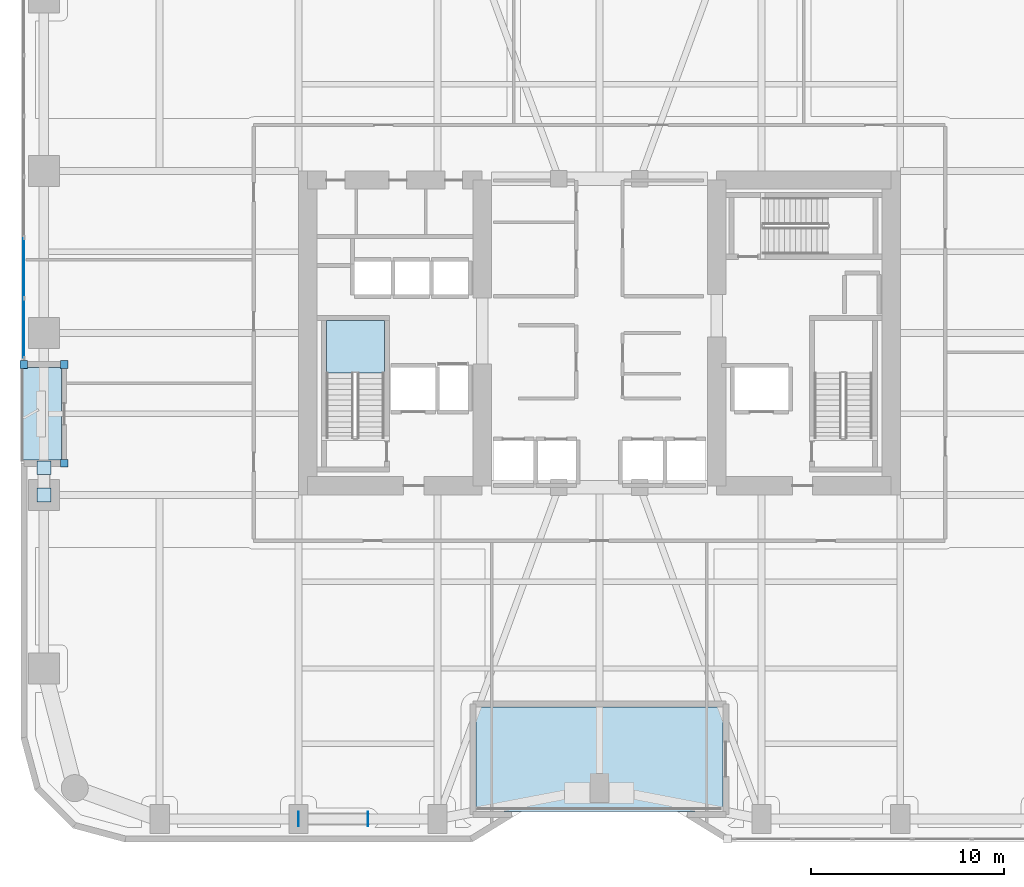
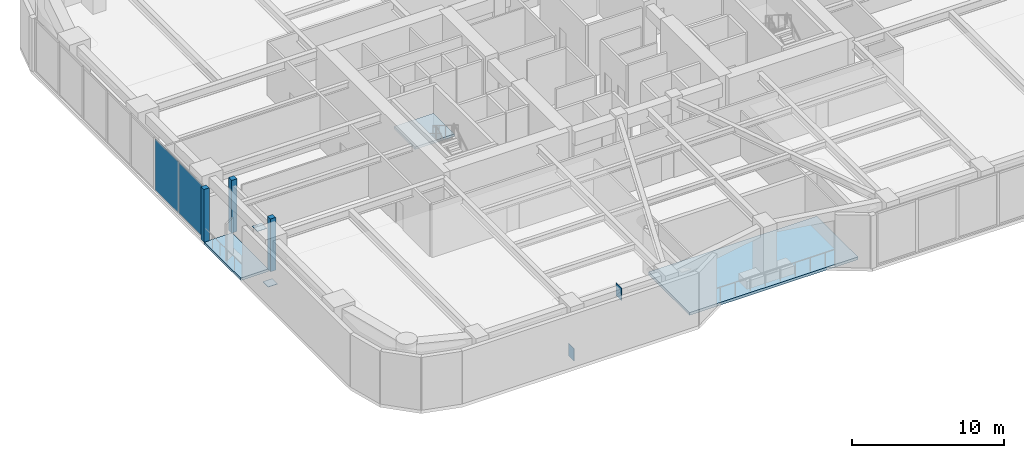
# One storey, part 14 of 25: 9 plates, 3 slabs, 2 elements without a shape of their own.
"""IFC4 building model written with IfcOpenShell, lengths in metres."""

from ifc_helpers import new_model, si_unit, direction, frame, origin, origin_2d, place, context, subcontext, project, spatial, polyline, rectangle, outline, extrude, material, layer, layer_set, type_object, element, aggregate, save


model = new_model("IFC4")

# Units and contexts
model_context = context("Model", 3, precision=1e-05, world=origin(), true_north=direction((0.0, 1.0)))
body_context = subcontext(model_context, "Body", "Model", "MODEL_VIEW")
ifc_project = project(units=[si_unit("LENGTHUNIT", "METRE"), si_unit("AREAUNIT", "SQUARE_METRE"), si_unit("VOLUMEUNIT", "CUBIC_METRE"), si_unit("PLANEANGLEUNIT", "RADIAN"), si_unit("MASSUNIT", "GRAM", prefix="KILO")], contexts=[model_context])

# Site, building, storey
site_placement = place(None, origin())
site = spatial("IfcSite", under=ifc_project, at=site_placement, CompositionType="ELEMENT")
building_placement = place(site_placement, origin())
building = spatial("IfcBuilding", under=site, at=building_placement, Name="Kiyonajd Concourse Tower", CompositionType="ELEMENT")
storey_placement = place(building_placement, frame((0.0, 0.0, 68.39990234375)))
storey = spatial("IfcBuildingStorey", under=building, at=storey_placement, Name="L18", CompositionType="ELEMENT", Elevation=68.39990234375)

# Plates
ifc_material_1 = material(Name="Steel ASTM A572 Grade 50", Category="steel")
ifc_layer_1 = layer(ifc_material_1, 0.028076171875)
ifc_layer_set_1 = layer_set([ifc_layer_1], Name="Steel ASTM A572 Grade 50")
plate_type_1 = type_object("IfcPlateType", Name="PL-CAP-450", PredefinedType="USERDEFINED", material=ifc_layer_set_1)
for number, where, z_axis, x_axis, name in (
    (1, (32.39208984375, 10.800048828125, -0.208251953125), (0.0, 0.0, 1.0), (-1.0, 0.0, 0.0), "L18 Hollow Brace End Cap Plate PBS"),
    (2, (36.0078125, 10.800048828125, 3.3974609375), (0.0, 0.0, 1.0), (1.0, 0.0, 0.0), "L18 Hollow Brace Top Cap Plate PBS"),
):
    element("IfcPlate", number, at=place(storey_placement, frame(where, z_axis=z_axis, x_axis=x_axis)), inside=storey, type_object=plate_type_1, Name=name, ObjectType="CAP PLATE", PredefinedType="USERDEFINED", context=body_context, shape_type="SweptSolid", body=[
        extrude(rectangle(XDim=0.035888671875, YDim=0.72998046875, at=origin_2d()), origin(), (0.0, 0.0, 1.0), 1.0009765625),
    ])
for number, where, z_axis, x_axis, name in (
    (3, (19.199951171875, 27.595947265625, 0.27587890625), (0.0, 0.0, 1.0), (1.0, 0.0, 0.0), "L18 Hollow Brace End Cap Plate PBW"),
    (4, (19.199951171875, 29.00390625, 3.88623046875), (0.0, 0.0, 1.0), (1.0, 0.0, 0.0), "L18 Hollow Brace Top Cap Plate PBW"),
):
    element("IfcPlate", number, at=place(storey_placement, frame(where, z_axis=z_axis, x_axis=x_axis)), inside=storey, type_object=plate_type_1, Name=name, ObjectType="CAP PLATE", PredefinedType="USERDEFINED", context=body_context, shape_type="SweptSolid", body=[
        extrude(rectangle(XDim=0.7099609375, YDim=0.7099609375, at=origin_2d()), origin(), (0.0, 0.0, 1.0), 0.028076171875),
    ])

# Curtain wall, plates
ifc_material_2 = material(Name="Thermally Broken Anodised Aluminium", Category="aluminium")
ifc_layer_2 = layer(ifc_material_2, 0.179931640625)
ifc_layer_set_2 = layer_set([ifc_layer_2], Name="Thermally Broken Anodised Aluminium")
curtain_wall_type = type_object("IfcCurtainWallType", Name="CW-SYS-05", PredefinedType="NOTDEFINED", material=ifc_layer_set_2)
curtain_wall_placement = place(storey_placement, origin())
curtain_wall = element("IfcCurtainWall", 5, at=curtain_wall_placement, inside=storey, type_object=curtain_wall_type, Name="L18 Unitised Curtain Wall CW5", PredefinedType="NOTDEFINED")
ifc_material_3 = material(Name="Double Low-E Insulated Glass", Category="glass")
ifc_layer_3 = layer(ifc_material_3, 0.0400390625)
ifc_layer_set_3 = layer_set([ifc_layer_3], Name="Double Low-E Insulated Glass")
plate_type_2 = type_object("IfcPlateType", Name="PL-CW-VIS40", PredefinedType="CURTAIN_PANEL", material=ifc_layer_set_3)
plate_1_placement = place(storey_placement, frame((18.159912109375, 36.242919921875, 0.0751953125), z_axis=(0.0, 0.0, 1.0), x_axis=(0.0, 1.0, 0.0)))
plate_1 = element("IfcPlate", 6, at=plate_1_placement, type_object=plate_type_2, Name="CW5 panel 1.1", PredefinedType="CURTAIN_PANEL", context=body_context, shape_type="SweptSolid", body=[
    extrude(rectangle(XDim=3.035888671875, YDim=0.0400390625, at=origin_2d()), origin(), (0.0, 0.0, 1.0), 4.090087890625),
])
plate_2_placement = place(storey_placement, frame((18.159912109375, 39.37255859375, 0.0751953125), z_axis=(0.0, 0.0, 1.0), x_axis=(0.0, 1.0, 0.0)))
plate_2 = element("IfcPlate", 7, at=plate_2_placement, type_object=plate_type_2, Name="CW5 panel 2.1", PredefinedType="CURTAIN_PANEL", context=body_context, shape_type="SweptSolid", body=[
    extrude(rectangle(XDim=3.073486328125, YDim=0.0400390625, at=origin_2d()), origin(), (0.0, 0.0, 1.0), 4.090087890625),
])
aggregate(curtain_wall, [plate_1, plate_2])

# Plates
ifc_layer_4 = layer(ifc_material_2, 0.39990234375)
ifc_layer_set_4 = layer_set([ifc_layer_4], Name="Thermally Broken Anodised Aluminium")
plate_type_3 = type_object("IfcPlateType", Name="PL-JMB-400", PredefinedType="USERDEFINED", material=ifc_layer_set_4)
for number, where, z_axis, x_axis, name in (
    (8, (20.260009765625, 29.239990234375, 0.0), (0.0, 0.0, 1.0), (1.0, 0.0, 0.0), "L18 Facade Jamb Closure Plate 07"),
    (9, (20.260009765625, 34.360107421875, 0.0), (0.0, 0.0, 1.0), (1.0, 0.0, 0.0), "L18 Facade Jamb Closure Plate 08"),
    (10, (18.159912109375, 34.360107421875, 0.0), (0.0, 0.0, 1.0), (1.0, 0.0, 0.0), "L18 Facade Jamb Closure Plate 09"),
):
    element("IfcPlate", number, at=place(storey_placement, frame(where, z_axis=z_axis, x_axis=x_axis)), inside=storey, type_object=plate_type_3, Name=name, ObjectType="JAMB PLATE", PredefinedType="USERDEFINED", context=body_context, shape_type="SweptSolid", body=[
        extrude(rectangle(XDim=0.39990234375, YDim=0.39990234375, at=origin_2d()), origin(), (0.0, 0.0, 1.0), 4.239990234375),
    ])

# Stair, slab
ifc_material_4 = material(Name="Concrete C40/50", Category="concrete")
stair_type = type_object("IfcStairType", Name="ST-DLG-26R", PredefinedType="HALF_TURN_STAIR", material=ifc_material_4)
stair_placement = place(storey_placement, origin())
stair = element("IfcStair", 11, at=stair_placement, inside=storey, type_object=stair_type, Name="L18 Protected Exit Stair ST1", PredefinedType="HALF_TURN_STAIR")
ifc_layer_5 = layer(ifc_material_4, 0.199951171875)
ifc_layer_set_5 = layer_set([ifc_layer_5], Name="Concrete C40/50")
slab_type_1 = type_object("IfcSlabType", Name="SL-LND-200", PredefinedType="LANDING", material=ifc_layer_set_5)
slab_1_placement = place(storey_placement, frame((0.0, 0.0, 2.050048828125)))
slab_1 = element("IfcSlab", 12, at=slab_1_placement, type_object=slab_type_1, Name="ST1 landing 1", PredefinedType="LANDING", context=body_context, shape_type="SweptSolid", body=[
    extrude(outline(polyline([(36.85009765625, 33.909912109375), (36.85009765625, 36.64990234375), (33.85009765625, 36.64990234375), (33.85009765625, 33.909912109375), (36.85009765625, 33.909912109375)])), origin(), (0.0, 0.0, 1.0), 0.199951171875),
])
aggregate(stair, [slab_1])

# Slabs
ifc_material_5 = material(Name="Precast concrete C50/60", Category="concrete")
ifc_layer_6 = layer(ifc_material_5, 0.199951171875)
ifc_layer_set_6 = layer_set([ifc_layer_6], Name="Precast concrete C50/60")
slab_type_2 = type_object("IfcSlabType", Name="SL-LOG-200", PredefinedType="FLOOR", material=ifc_layer_set_6)
slab_2_placement = place(storey_placement, frame((0.0, 0.0, -0.199951171875)))
element("IfcSlab", 13, at=slab_2_placement, inside=storey, type_object=slab_type_2, Name="L18 Recessed Engawa Loggia Terrace Slab LOG-W", PredefinedType="FLOOR", context=body_context, shape_type="SweptSolid", body=[
    extrude(outline(polyline([(18.0, 29.39990234375), (20.10009765625, 29.39990234375), (20.10009765625, 34.199951171875), (18.0, 34.199951171875), (18.0, 29.39990234375)])), origin(), (0.0, 0.0, 1.0), 0.199951171875),
])
ifc_material_6 = material(Name="Concrete C50/60", Category="concrete")
ifc_layer_7 = layer(ifc_material_6, 0.219970703125)
ifc_layer_set_7 = layer_set([ifc_layer_7], Name="Concrete C50/60")
slab_type_3 = type_object("IfcSlabType", Name="SL-SKY-220", PredefinedType="FLOOR", material=ifc_layer_set_7)
slab_3_placement = place(storey_placement, frame((0.0, 0.0, -0.219970703125)))
element("IfcSlab", 14, at=slab_3_placement, inside=storey, type_object=slab_type_3, Name="L18 South Ribbon Sky Garden Terrace Slab", PredefinedType="FLOOR", context=body_context, shape_type="SweptSolid", body=[
    extrude(outline(polyline([(41.60009765625, 11.199951171875), (54.39990234375, 11.199951171875), (54.39990234375, 16.60009765625), (41.60009765625, 16.60009765625), (41.60009765625, 11.199951171875)])), origin(), (0.0, 0.0, 1.0), 0.219970703125),
])

save(model, "model.ifc")
